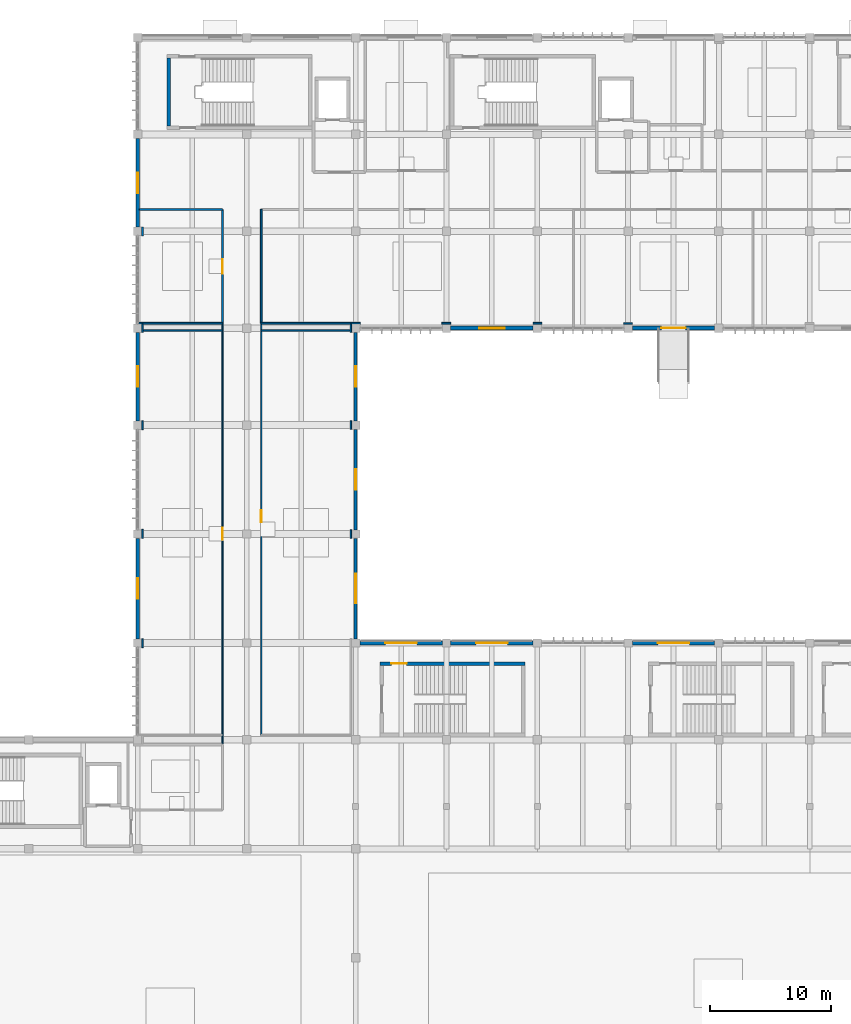
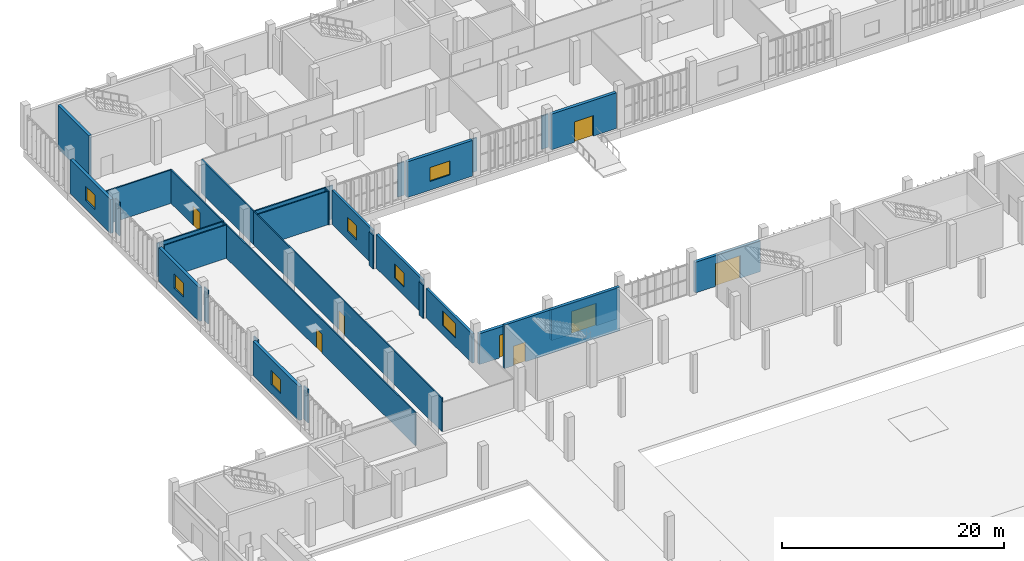
# One storey, part 46 of 72: 33 walls, 8 doors, 7 windows, 15 openings.
"""IFC4 building model written with IfcOpenShell, lengths in metres."""

from ifc_helpers import new_model, si_unit, direction, frame, frame_2d, origin, place, context, subcontext, project, spatial, rectangle, extrude, material, layer, layer_set, type_object, element, fill, save


model = new_model("IFC4")

# Units and contexts
model_context = context("Model", 3, precision=1e-05, world=origin(), true_north=direction((0.0, 1.0)))
body_context = subcontext(model_context, "Body", "Model", "MODEL_VIEW")
ifc_project = project(units=[si_unit("LENGTHUNIT", "METRE"), si_unit("AREAUNIT", "SQUARE_METRE"), si_unit("VOLUMEUNIT", "CUBIC_METRE"), si_unit("PLANEANGLEUNIT", "RADIAN"), si_unit("MASSUNIT", "GRAM", prefix="KILO")], contexts=[model_context])

# Site, building, storey
site_placement = place(None, origin())
site = spatial("IfcSite", under=ifc_project, at=site_placement, CompositionType="ELEMENT")
building_placement = place(site_placement, origin())
building = spatial("IfcBuilding", under=site, at=building_placement, Name="Vourika Railside Aquatics Centre", CompositionType="ELEMENT")
storey_placement = place(building_placement, origin())
storey = spatial("IfcBuildingStorey", under=building, at=storey_placement, Name="L00", CompositionType="ELEMENT", Elevation=0.0)

# Wall
ifc_material_1 = material(Name="Concrete C40/50", Category="concrete")
ifc_layer_1 = layer(ifc_material_1, 0.300048828125, Name="WL-CORE")
ifc_layer_set_1 = layer_set([ifc_layer_1], Name="Concrete C40/50")
wall_type_1 = type_object("IfcWallType", Name="WL-CORE", PredefinedType="SHEAR", material=ifc_layer_set_1)
wall_1_placement = place(storey_placement, frame((20.550048828125, 114.300048828125, 0.0), z_axis=(0.0, 0.0, 1.0), x_axis=(0.0, -1.0, 0.0)))
element("IfcWall", 1, at=wall_1_placement, inside=storey, type_object=wall_type_1, Name="Protected Exit Stair Core ST01 West Wall (L00)", PredefinedType="SHEAR", context=body_context, shape_type="SweptSolid", body=[
    extrude(rectangle(XDim=5.60009765625, YDim=0.300048828125, at=frame_2d((2.800048828125, 0.0))), origin(), (0.0, 0.0, 1.0), 4.800048828125),
])

# Wall, opening, door
wall_2_placement = place(storey_placement, frame((50.0, 64.300048828125, 0.0), z_axis=(0.0, 0.0, 1.0), x_axis=(-1.0, 0.0, 0.0)))
wall_2 = element("IfcWall", 2, at=wall_2_placement, inside=storey, type_object=wall_type_1, Name="Grandstand Vomitory Exit Stair ST07 North Wall (L00)", PredefinedType="SHEAR", context=body_context, shape_type="SweptSolid", body=[
    extrude(rectangle(XDim=12.0, YDim=0.300048828125, at=frame_2d((6.0, 0.0))), origin(), (0.0, 0.0, 1.0), 4.800048828125),
])
opening_1_placement = place(wall_2_placement, frame((9.800048828125, 0.0, 0.0)))
opening_1 = element("IfcOpeningElement", 3, at=opening_1_placement, cuts=wall_2, Name="Opening DF02", PredefinedType="OPENING", context=body_context, shape_type="SweptSolid", body=[
    extrude(rectangle(XDim=1.25, YDim=2.14990234375, at=frame_2d((0.625, 1.074951171875))), frame((0.0, 0.16015625, 0.0), z_axis=(0.0, -1.0, 0.0), x_axis=(1.0, 0.0, 0.0)), (0.0, 0.0, 1.0), 0.320068359375),
])
ifc_material_2 = material(Name="Fire-rated wide exit stair door")
door_type_1 = type_object("IfcDoorType", Name="DR-FD60-125", OperationType="NOTDEFINED", PredefinedType="DOOR", material=ifc_material_2)
door_1_placement = place(opening_1_placement, origin())
door_1 = element("IfcDoor", 4, at=door_1_placement, inside=storey, type_object=door_type_1, Name="Grandstand Vomitory Exit Stair ST07 Grade Exit Passage Door", OperationType="SINGLE_SWING_RIGHT", OverallHeight=2.14990234375, OverallWidth=1.25, PredefinedType="DOOR", context=body_context, shape_type="SweptSolid", body=[
    extrude(rectangle(XDim=1.25, YDim=2.14990234375, at=frame_2d((0.625, 1.074951171875))), frame((0.0, 0.02490234375, 0.0), z_axis=(0.0, -1.0, 0.0), x_axis=(1.0, 0.0, 0.0)), (0.0, 0.0, 1.0), 0.050048828125),
])
fill(opening_1, door_1)

# Wall, opening, window
ifc_material_3 = material(Name="Precast concrete C40/50", Category="concrete")
ifc_layer_2 = layer(ifc_material_3, 0.25, Name="WL-EXT-250")
ifc_layer_set_2 = layer_set([ifc_layer_2], Name="Precast concrete C40/50")
wall_type_2 = type_object("IfcWallType", Name="WL-EXT-250", PredefinedType="SOLIDWALL", material=ifc_layer_set_2)
wall_3_placement = place(storey_placement, frame((36.0, 66.35009765625, 0.0), z_axis=(0.0, 0.0, 1.0), x_axis=(0.0, 1.0, 0.0)))
wall_3 = element("IfcWall", 5, at=wall_3_placement, inside=storey, type_object=wall_type_2, Name="West Link Courtyard Wall L00-1", PredefinedType="SOLIDWALL", context=body_context, shape_type="SweptSolid", body=[
    extrude(rectangle(XDim=8.2998046875, YDim=0.25, at=frame_2d((4.14990234375, 0.0))), origin(), (0.0, 0.0, 1.0), 3.22998046875),
])
opening_2_placement = place(wall_3_placement, frame((2.949951171875, 0.0, 0.949951171875)))
opening_2 = element("IfcOpeningElement", 6, at=opening_2_placement, cuts=wall_3, Name="Opening W06", PredefinedType="OPENING", context=body_context, shape_type="SweptSolid", body=[
    extrude(rectangle(XDim=2.39990234375, YDim=1.60009765625, at=frame_2d((1.199951171875, 0.800048828125))), frame((0.0, 0.135009765625, 0.0), z_axis=(0.0, -1.0, 0.0), x_axis=(1.0, 0.0, 0.0)), (0.0, 0.0, 1.0), 0.27001953125),
])
ifc_material_4 = material(Name="Laminated solar-control glass", Category="glass")
window_type_1 = type_object("IfcWindowType", Name="WN-CLN-240x160", PartitioningType="DOUBLE_PANEL_VERTICAL", PredefinedType="WINDOW", material=ifc_material_4)
window_1_placement = place(opening_2_placement, origin())
window_1 = element("IfcWindow", 7, at=window_1_placement, inside=storey, type_object=window_type_1, Name="West Link Courtyard Gallery Window", OverallHeight=1.60009765625, OverallWidth=2.39990234375, PartitioningType="SINGLE_PANEL", PredefinedType="WINDOW", context=body_context, shape_type="SweptSolid", body=[
    extrude(rectangle(XDim=2.39990234375, YDim=1.60009765625, at=frame_2d((1.199951171875, 0.800048828125))), frame((0.0, 0.030029296875, 0.0), z_axis=(0.0, -1.0, 0.0), x_axis=(1.0, 0.0, 0.0)), (0.0, 0.0, 1.0), 0.06005859375),
])
fill(opening_2, window_1)

wall_4_placement = place(storey_placement, frame((36.0, 75.35009765625, 0.0), z_axis=(0.0, 0.0, 1.0), x_axis=(0.0, 1.0, 0.0)))
wall_4 = element("IfcWall", 8, at=wall_4_placement, inside=storey, type_object=wall_type_2, Name="West Link Courtyard Wall L00-2", PredefinedType="SOLIDWALL", context=body_context, shape_type="SweptSolid", body=[
    extrude(rectangle(XDim=8.2998046875, YDim=0.25, at=frame_2d((4.14990234375, 0.0))), origin(), (0.0, 0.0, 1.0), 3.72998046875),
])
opening_3_placement = place(wall_4_placement, frame((3.300048828125, 0.0, 0.949951171875)))
opening_3 = element("IfcOpeningElement", 9, at=opening_3_placement, cuts=wall_4, Name="Opening W11", PredefinedType="OPENING", context=body_context, shape_type="SweptSolid", body=[
    extrude(rectangle(XDim=1.699951171875, YDim=1.550048828125, at=frame_2d((0.85009765625, 0.77490234375))), frame((0.0, 0.135009765625, 0.0), z_axis=(0.0, -1.0, 0.0), x_axis=(1.0, 0.0, 0.0)), (0.0, 0.0, 1.0), 0.27001953125),
])
window_type_2 = type_object("IfcWindowType", Name="WN-LAB-170x155", PartitioningType="SINGLE_PANEL", PredefinedType="WINDOW", material=ifc_material_4)
window_2_placement = place(opening_3_placement, origin())
window_2 = element("IfcWindow", 10, at=window_2_placement, inside=storey, type_object=window_type_2, Name="West Link Courtyard Window L00-2", OverallHeight=1.550048828125, OverallWidth=1.699951171875, PartitioningType="SINGLE_PANEL", PredefinedType="WINDOW", context=body_context, shape_type="SweptSolid", body=[
    extrude(rectangle(XDim=1.699951171875, YDim=1.550048828125, at=frame_2d((0.85009765625, 0.77490234375))), frame((0.0, 0.030029296875, 0.0), z_axis=(0.0, -1.0, 0.0), x_axis=(1.0, 0.0, 0.0)), (0.0, 0.0, 1.0), 0.06005859375),
])
fill(opening_3, window_2)

wall_5_placement = place(storey_placement, frame((36.0, 84.35009765625, 0.0), z_axis=(0.0, 0.0, 1.0), x_axis=(0.0, 1.0, 0.0)))
wall_5 = element("IfcWall", 11, at=wall_5_placement, inside=storey, type_object=wall_type_2, Name="West Link Courtyard Wall L00-3", PredefinedType="SOLIDWALL", context=body_context, shape_type="SweptSolid", body=[
    extrude(rectangle(XDim=7.2998046875, YDim=0.25, at=frame_2d((3.64990234375, 0.0))), origin(), (0.0, 0.0, 1.0), 3.72998046875),
])
opening_4_placement = place(wall_5_placement, frame((2.800048828125, 0.0, 0.949951171875)))
opening_4 = element("IfcOpeningElement", 12, at=opening_4_placement, cuts=wall_5, Name="Opening W11", PredefinedType="OPENING", context=body_context, shape_type="SweptSolid", body=[
    extrude(rectangle(XDim=1.699951171875, YDim=1.550048828125, at=frame_2d((0.85009765625, 0.77490234375))), frame((0.0, 0.135009765625, 0.0), z_axis=(0.0, -1.0, 0.0), x_axis=(1.0, 0.0, 0.0)), (0.0, 0.0, 1.0), 0.27001953125),
])
window_3_placement = place(opening_4_placement, origin())
window_3 = element("IfcWindow", 13, at=window_3_placement, inside=storey, type_object=window_type_2, Name="West Link Courtyard Window L00-3", OverallHeight=1.550048828125, OverallWidth=1.699951171875, PartitioningType="SINGLE_PANEL", PredefinedType="WINDOW", context=body_context, shape_type="SweptSolid", body=[
    extrude(rectangle(XDim=1.699951171875, YDim=1.550048828125, at=frame_2d((0.85009765625, 0.77490234375))), frame((0.0, 0.030029296875, 0.0), z_axis=(0.0, -1.0, 0.0), x_axis=(1.0, 0.0, 0.0)), (0.0, 0.0, 1.0), 0.06005859375),
])
fill(opening_4, window_3)

# Wall, opening, door
ifc_layer_3 = layer(ifc_material_3, 0.320068359375, Name="WL-EXT-320")
ifc_layer_set_3 = layer_set([ifc_layer_3], Name="Precast concrete C40/50")
wall_type_3 = type_object("IfcWallType", Name="WL-EXT-320", PredefinedType="SOLIDWALL", material=ifc_layer_set_3)
wall_6_placement = place(storey_placement, frame((43.14990234375, 66.0, 0.0), z_axis=(0.0, 0.0, 1.0), x_axis=(-1.0, 0.0, 0.0)))
wall_6 = element("IfcWall", 14, at=wall_6_placement, inside=storey, type_object=wall_type_3, Name="North Concourse Exit Wall Bay 1", PredefinedType="SOLIDWALL", context=body_context, shape_type="SweptSolid", body=[
    extrude(rectangle(XDim=6.7998046875, YDim=0.320068359375, at=frame_2d((3.39990234375, 0.0))), origin(), (0.0, 0.0, 1.0), 3.3798828125),
])
opening_5_placement = place(wall_6_placement, frame((2.10009765625, 0.0, 0.0)))
opening_5 = element("IfcOpeningElement", 15, at=opening_5_placement, cuts=wall_6, Name="Opening DE01", PredefinedType="OPENING", context=body_context, shape_type="SweptSolid", body=[
    extrude(rectangle(XDim=2.60009765625, YDim=2.5, at=frame_2d((1.300048828125, 1.25))), frame((0.0, 0.169921875, 0.0), z_axis=(0.0, -1.0, 0.0), x_axis=(1.0, 0.0, 0.0)), (0.0, 0.0, 1.0), 0.340087890625),
])
ifc_material_5 = material(Name="Anodized aluminium", Category="aluminium")
door_type_2 = type_object("IfcDoorType", Name="DR-EXT-DBL260", OperationType="DOUBLE_DOOR_SINGLE_SWING", PredefinedType="DOOR", material=ifc_material_5)
door_2_placement = place(opening_5_placement, frame((2.60009765625, 0.0, 0.0), z_axis=(0.0, 0.0, 1.0), x_axis=(-1.0, 0.0, 0.0)))
door_2 = element("IfcDoor", 16, at=door_2_placement, inside=storey, type_object=door_type_2, Name="Courtyard Vomitory Exit Door (EX-N01)", OperationType="DOUBLE_DOOR_SINGLE_SWING", OverallHeight=2.5, OverallWidth=2.60009765625, PredefinedType="DOOR", context=body_context, shape_type="SweptSolid", body=[
    extrude(rectangle(XDim=2.60009765625, YDim=2.5, at=frame_2d((1.300048828125, 1.25))), frame((0.0, 0.02490234375, 0.0), z_axis=(0.0, -1.0, 0.0), x_axis=(1.0, 0.0, 0.0)), (0.0, 0.0, 1.0), 0.050048828125),
])
fill(opening_5, door_2)

wall_7_placement = place(storey_placement, frame((50.64990234375, 66.0, 0.0), z_axis=(0.0, 0.0, 1.0), x_axis=(-1.0, 0.0, 0.0)))
wall_7 = element("IfcWall", 17, at=wall_7_placement, inside=storey, type_object=wall_type_3, Name="North Concourse Exit Wall Bay 2", PredefinedType="SOLIDWALL", context=body_context, shape_type="SweptSolid", body=[
    extrude(rectangle(XDim=6.7998046875, YDim=0.320068359375, at=frame_2d((3.39990234375, 0.0))), origin(), (0.0, 0.0, 1.0), 3.3798828125),
])
opening_6_placement = place(wall_7_placement, frame((2.10009765625, 0.0, 0.0)))
opening_6 = element("IfcOpeningElement", 18, at=opening_6_placement, cuts=wall_7, Name="Opening DE01", PredefinedType="OPENING", context=body_context, shape_type="SweptSolid", body=[
    extrude(rectangle(XDim=2.60009765625, YDim=2.5, at=frame_2d((1.300048828125, 1.25))), frame((0.0, 0.169921875, 0.0), z_axis=(0.0, -1.0, 0.0), x_axis=(1.0, 0.0, 0.0)), (0.0, 0.0, 1.0), 0.340087890625),
])
door_3_placement = place(opening_6_placement, frame((2.60009765625, 0.0, 0.0), z_axis=(0.0, 0.0, 1.0), x_axis=(-1.0, 0.0, 0.0)))
door_3 = element("IfcDoor", 19, at=door_3_placement, inside=storey, type_object=door_type_2, Name="Courtyard Vomitory Exit Door (ST07)", OperationType="DOUBLE_DOOR_SINGLE_SWING", OverallHeight=2.5, OverallWidth=2.60009765625, PredefinedType="DOOR", context=body_context, shape_type="SweptSolid", body=[
    extrude(rectangle(XDim=2.60009765625, YDim=2.5, at=frame_2d((1.300048828125, 1.25))), frame((0.0, 0.02490234375, 0.0), z_axis=(0.0, -1.0, 0.0), x_axis=(1.0, 0.0, 0.0)), (0.0, 0.0, 1.0), 0.050048828125),
])
fill(opening_6, door_3)

wall_8_placement = place(storey_placement, frame((65.64990234375, 66.0, 0.0), z_axis=(0.0, 0.0, 1.0), x_axis=(-1.0, 0.0, 0.0)))
wall_8 = element("IfcWall", 20, at=wall_8_placement, inside=storey, type_object=wall_type_3, Name="North Concourse Exit Wall Bay 4", PredefinedType="SOLIDWALL", context=body_context, shape_type="SweptSolid", body=[
    extrude(rectangle(XDim=6.7998046875, YDim=0.320068359375, at=frame_2d((3.39990234375, 0.0))), origin(), (0.0, 0.0, 1.0), 3.3798828125),
])
opening_7_placement = place(wall_8_placement, frame((2.10009765625, 0.0, 0.0)))
opening_7 = element("IfcOpeningElement", 21, at=opening_7_placement, cuts=wall_8, Name="Opening DE01", PredefinedType="OPENING", context=body_context, shape_type="SweptSolid", body=[
    extrude(rectangle(XDim=2.60009765625, YDim=2.5, at=frame_2d((1.300048828125, 1.25))), frame((0.0, 0.169921875, 0.0), z_axis=(0.0, -1.0, 0.0), x_axis=(1.0, 0.0, 0.0)), (0.0, 0.0, 1.0), 0.340087890625),
])
door_4_placement = place(opening_7_placement, frame((2.60009765625, 0.0, 0.0), z_axis=(0.0, 0.0, 1.0), x_axis=(-1.0, 0.0, 0.0)))
door_4 = element("IfcDoor", 22, at=door_4_placement, inside=storey, type_object=door_type_2, Name="Courtyard Vomitory Exit Door (ST08)", OperationType="DOUBLE_DOOR_SINGLE_SWING", OverallHeight=2.5, OverallWidth=2.60009765625, PredefinedType="DOOR", context=body_context, shape_type="SweptSolid", body=[
    extrude(rectangle(XDim=2.60009765625, YDim=2.5, at=frame_2d((1.300048828125, 1.25))), frame((0.0, 0.02490234375, 0.0), z_axis=(0.0, -1.0, 0.0), x_axis=(1.0, 0.0, 0.0)), (0.0, 0.0, 1.0), 0.050048828125),
])
fill(opening_7, door_4)

# Wall, opening, window
wall_9_placement = place(storey_placement, frame((43.85009765625, 92.0, 0.0), z_axis=(0.0, 0.0, 1.0), x_axis=(1.0, 0.0, 0.0)))
wall_9 = element("IfcWall", 23, at=wall_9_placement, inside=storey, type_object=wall_type_3, Name="Courtyard Precast Wall L00-2", PredefinedType="SOLIDWALL", context=body_context, shape_type="SweptSolid", body=[
    extrude(rectangle(XDim=6.7998046875, YDim=0.320068359375, at=frame_2d((3.39990234375, 0.0))), origin(), (0.0, 0.0, 1.0), 3.929931640625),
])
opening_8_placement = place(wall_9_placement, frame((2.35009765625, 0.0, 0.949951171875)))
opening_8 = element("IfcOpeningElement", 24, at=opening_8_placement, cuts=wall_9, Name="Opening W07", PredefinedType="OPENING", context=body_context, shape_type="SweptSolid", body=[
    extrude(rectangle(XDim=2.10009765625, YDim=1.550048828125, at=frame_2d((1.050048828125, 0.77490234375))), frame((0.0, 0.169921875, 0.0), z_axis=(0.0, -1.0, 0.0), x_axis=(1.0, 0.0, 0.0)), (0.0, 0.0, 1.0), 0.340087890625),
])
window_type_3 = type_object("IfcWindowType", Name="WN-CLN-210x155", PartitioningType="DOUBLE_PANEL_VERTICAL", PredefinedType="WINDOW", material=ifc_material_4)
window_4_placement = place(opening_8_placement, origin())
window_4 = element("IfcWindow", 25, at=window_4_placement, inside=storey, type_object=window_type_3, Name="Courtyard Fitness Window L00-2", OverallHeight=1.550048828125, OverallWidth=2.10009765625, PartitioningType="SINGLE_PANEL", PredefinedType="WINDOW", context=body_context, shape_type="SweptSolid", body=[
    extrude(rectangle(XDim=2.10009765625, YDim=1.550048828125, at=frame_2d((1.050048828125, 0.77490234375))), frame((0.0, 0.030029296875, 0.0), z_axis=(0.0, -1.0, 0.0), x_axis=(1.0, 0.0, 0.0)), (0.0, 0.0, 1.0), 0.06005859375),
])
fill(opening_8, window_4)

# Wall, opening, door
wall_10_placement = place(storey_placement, frame((58.85009765625, 92.0, 0.0), z_axis=(0.0, 0.0, 1.0), x_axis=(1.0, 0.0, 0.0)))
wall_10 = element("IfcWall", 26, at=wall_10_placement, inside=storey, type_object=wall_type_3, Name="Monsoon Courtyard Clinic Entrance Wall", PredefinedType="SOLIDWALL", context=body_context, shape_type="SweptSolid", body=[
    extrude(rectangle(XDim=6.7998046875, YDim=0.320068359375, at=frame_2d((3.39990234375, 0.0))), origin(), (0.0, 0.0, 1.0), 3.929931640625),
])
opening_9_placement = place(wall_10_placement, frame((2.39990234375, 0.0, 0.0)))
opening_9 = element("IfcOpeningElement", 27, at=opening_9_placement, cuts=wall_10, Name="Opening DE04", PredefinedType="OPENING", context=body_context, shape_type="SweptSolid", body=[
    extrude(rectangle(XDim=2.0, YDim=2.25, at=frame_2d((1.0, 1.125))), frame((0.0, 0.169921875, 0.0), z_axis=(0.0, -1.0, 0.0), x_axis=(1.0, 0.0, 0.0)), (0.0, 0.0, 1.0), 0.340087890625),
])
door_type_3 = type_object("IfcDoorType", Name="DR-EXT-DBL200", OperationType="DOUBLE_DOOR_SINGLE_SWING", PredefinedType="DOOR", material=ifc_material_5)
door_5_placement = place(opening_9_placement, frame((2.0, 0.0, 0.0), z_axis=(0.0, 0.0, 1.0), x_axis=(-1.0, 0.0, 0.0)))
door_5 = element("IfcDoor", 28, at=door_5_placement, inside=storey, type_object=door_type_3, Name="Monsoon Courtyard Clinic Entrance Door (AR2)", OperationType="DOUBLE_DOOR_SINGLE_SWING", OverallHeight=2.25, OverallWidth=2.0, PredefinedType="DOOR", context=body_context, shape_type="SweptSolid", body=[
    extrude(rectangle(XDim=2.0, YDim=2.25, at=frame_2d((1.0, 1.125))), frame((0.0, 0.02490234375, 0.0), z_axis=(0.0, -1.0, 0.0), x_axis=(1.0, 0.0, 0.0)), (0.0, 0.0, 1.0), 0.050048828125),
])
fill(opening_9, door_5)

# Wall, opening, window
wall_11_placement = place(storey_placement, frame((18.0, 74.64990234375, 0.0), z_axis=(0.0, 0.0, 1.0), x_axis=(0.0, -1.0, 0.0)))
wall_11 = element("IfcWall", 29, at=wall_11_placement, inside=storey, type_object=wall_type_3, Name="Fitness West Precast Wall L00-2", PredefinedType="SOLIDWALL", context=body_context, shape_type="SweptSolid", body=[
    extrude(rectangle(XDim=8.2998046875, YDim=0.320068359375, at=frame_2d((4.14990234375, 0.0))), origin(), (0.0, 0.0, 1.0), 3.72998046875),
])
opening_10_placement = place(wall_11_placement, frame((3.300048828125, 0.0, 0.949951171875)))
opening_10 = element("IfcOpeningElement", 30, at=opening_10_placement, cuts=wall_11, Name="Opening W11", PredefinedType="OPENING", context=body_context, shape_type="SweptSolid", body=[
    extrude(rectangle(XDim=1.699951171875, YDim=1.550048828125, at=frame_2d((0.85009765625, 0.77490234375))), frame((0.0, 0.169921875, 0.0), z_axis=(0.0, -1.0, 0.0), x_axis=(1.0, 0.0, 0.0)), (0.0, 0.0, 1.0), 0.340087890625),
])
window_5_placement = place(opening_10_placement, origin())
window_5 = element("IfcWindow", 31, at=window_5_placement, inside=storey, type_object=window_type_2, Name="Fitness West Window L00-2", OverallHeight=1.550048828125, OverallWidth=1.699951171875, PartitioningType="SINGLE_PANEL", PredefinedType="WINDOW", context=body_context, shape_type="SweptSolid", body=[
    extrude(rectangle(XDim=1.699951171875, YDim=1.550048828125, at=frame_2d((0.85009765625, 0.77490234375))), frame((0.0, 0.030029296875, 0.0), z_axis=(0.0, -1.0, 0.0), x_axis=(1.0, 0.0, 0.0)), (0.0, 0.0, 1.0), 0.06005859375),
])
fill(opening_10, window_5)

wall_12_placement = place(storey_placement, frame((18.0, 91.64990234375, 0.0), z_axis=(0.0, 0.0, 1.0), x_axis=(0.0, -1.0, 0.0)))
wall_12 = element("IfcWall", 32, at=wall_12_placement, inside=storey, type_object=wall_type_3, Name="Fitness West Precast Wall L00-4", PredefinedType="SOLIDWALL", context=body_context, shape_type="SweptSolid", body=[
    extrude(rectangle(XDim=7.2998046875, YDim=0.320068359375, at=frame_2d((3.64990234375, 0.0))), origin(), (0.0, 0.0, 1.0), 3.72998046875),
])
opening_11_placement = place(wall_12_placement, frame((2.800048828125, 0.0, 0.949951171875)))
opening_11 = element("IfcOpeningElement", 33, at=opening_11_placement, cuts=wall_12, Name="Opening W11", PredefinedType="OPENING", context=body_context, shape_type="SweptSolid", body=[
    extrude(rectangle(XDim=1.699951171875, YDim=1.550048828125, at=frame_2d((0.85009765625, 0.77490234375))), frame((0.0, 0.169921875, 0.0), z_axis=(0.0, -1.0, 0.0), x_axis=(1.0, 0.0, 0.0)), (0.0, 0.0, 1.0), 0.340087890625),
])
window_6_placement = place(opening_11_placement, origin())
window_6 = element("IfcWindow", 34, at=window_6_placement, inside=storey, type_object=window_type_2, Name="Fitness West Window L00-4", OverallHeight=1.550048828125, OverallWidth=1.699951171875, PartitioningType="SINGLE_PANEL", PredefinedType="WINDOW", context=body_context, shape_type="SweptSolid", body=[
    extrude(rectangle(XDim=1.699951171875, YDim=1.550048828125, at=frame_2d((0.85009765625, 0.77490234375))), frame((0.0, 0.030029296875, 0.0), z_axis=(0.0, -1.0, 0.0), x_axis=(1.0, 0.0, 0.0)), (0.0, 0.0, 1.0), 0.06005859375),
])
fill(opening_11, window_6)

wall_13_placement = place(storey_placement, frame((18.0, 107.64990234375, 0.0), z_axis=(0.0, 0.0, 1.0), x_axis=(0.0, -1.0, 0.0)))
wall_13 = element("IfcWall", 35, at=wall_13_placement, inside=storey, type_object=wall_type_3, Name="Fitness West Precast Wall L00-6", PredefinedType="SOLIDWALL", context=body_context, shape_type="SweptSolid", body=[
    extrude(rectangle(XDim=7.2998046875, YDim=0.320068359375, at=frame_2d((3.64990234375, 0.0))), origin(), (0.0, 0.0, 1.0), 3.72998046875),
])
opening_12_placement = place(wall_13_placement, frame((2.800048828125, 0.0, 0.949951171875)))
opening_12 = element("IfcOpeningElement", 36, at=opening_12_placement, cuts=wall_13, Name="Opening W11", PredefinedType="OPENING", context=body_context, shape_type="SweptSolid", body=[
    extrude(rectangle(XDim=1.699951171875, YDim=1.550048828125, at=frame_2d((0.85009765625, 0.77490234375))), frame((0.0, 0.169921875, 0.0), z_axis=(0.0, -1.0, 0.0), x_axis=(1.0, 0.0, 0.0)), (0.0, 0.0, 1.0), 0.340087890625),
])
window_7_placement = place(opening_12_placement, origin())
window_7 = element("IfcWindow", 37, at=window_7_placement, inside=storey, type_object=window_type_2, Name="Fitness West Window L00-6", OverallHeight=1.550048828125, OverallWidth=1.699951171875, PartitioningType="SINGLE_PANEL", PredefinedType="WINDOW", context=body_context, shape_type="SweptSolid", body=[
    extrude(rectangle(XDim=1.699951171875, YDim=1.550048828125, at=frame_2d((0.85009765625, 0.77490234375))), frame((0.0, 0.030029296875, 0.0), z_axis=(0.0, -1.0, 0.0), x_axis=(1.0, 0.0, 0.0)), (0.0, 0.0, 1.0), 0.06005859375),
])
fill(opening_12, window_7)

# Wall
ifc_material_6 = material(Name="Lightweight drylining partition")
ifc_layer_4 = layer(ifc_material_6, 0.1201171875, Name="WL-PART-120")
ifc_layer_set_4 = layer_set([ifc_layer_4], Name="Lightweight drylining partition")
wall_type_4 = type_object("IfcWallType", Name="WL-PART-120", PredefinedType="PARTITIONING", material=ifc_layer_set_4)
wall_14_placement = place(storey_placement, frame((58.85009765625, 92.39990234375, 0.0), z_axis=(0.0, 0.0, 1.0), x_axis=(-1.0, 0.0, 0.0)))
element("IfcWall", 38, at=wall_14_placement, inside=storey, type_object=wall_type_4, Name="Orthopaedic Physician Consulting Rooms Partition 4", PredefinedType="PARTITIONING", context=body_context, shape_type="SweptSolid", body=[
    extrude(rectangle(XDim=0.72998046875, YDim=0.1201171875, at=frame_2d((0.364990234375, 0.0))), origin(), (0.0, 0.0, 1.0), 3.679931640625),
])

# Wall, opening, door
wall_15_placement = place(storey_placement, frame((25.0, 92.35009765625, 0.0), z_axis=(0.0, 0.0, 1.0), x_axis=(0.0, -1.0, 0.0)))
wall_15 = element("IfcWall", 39, at=wall_15_placement, inside=storey, type_object=wall_type_4, Name="Cryotherapy Recovery Hall Partition 1", PredefinedType="PARTITIONING", context=body_context, shape_type="SweptSolid", body=[
    extrude(rectangle(XDim=34.68017578125, YDim=0.1201171875, at=frame_2d((17.340087890625, 0.0))), origin(), (0.0, 0.0, 1.0), 3.679931640625),
])
opening_13_placement = place(wall_15_placement, frame((16.840087890625, 0.0, 0.0)))
opening_13 = element("IfcOpeningElement", 40, at=opening_13_placement, cuts=wall_15, Name="Opening DI01", PredefinedType="OPENING", context=body_context, shape_type="SweptSolid", body=[
    extrude(rectangle(XDim=1.0, YDim=2.10009765625, at=frame_2d((0.5, 1.050048828125))), frame((0.0, 0.070068359375, 0.0), z_axis=(0.0, -1.0, 0.0), x_axis=(1.0, 0.0, 0.0)), (0.0, 0.0, 1.0), 0.14013671875),
])
ifc_material_7 = material(Name="Anodized aluminium and laminate door", Category="aluminium")
door_type_4 = type_object("IfcDoorType", Name="DR-INT-1000", OperationType="NOTDEFINED", PredefinedType="DOOR", material=ifc_material_7)
door_6_placement = place(opening_13_placement, origin())
door_6 = element("IfcDoor", 41, at=door_6_placement, inside=storey, type_object=door_type_4, Name="Cryotherapy Recovery Hall Door", OperationType="SINGLE_SWING_LEFT", OverallHeight=2.10009765625, OverallWidth=1.0, PredefinedType="DOOR", context=body_context, shape_type="SweptSolid", body=[
    extrude(rectangle(XDim=1.0, YDim=2.10009765625, at=frame_2d((0.5, 1.050048828125))), frame((0.0, 0.02490234375, 0.0), z_axis=(0.0, -1.0, 0.0), x_axis=(1.0, 0.0, 0.0)), (0.0, 0.0, 1.0), 0.050048828125),
])
fill(opening_13, door_6)

# Walls
wall_16_placement = place(storey_placement, frame((18.39990234375, 91.800048828125, 0.0), z_axis=(0.0, 0.0, 1.0), x_axis=(1.0, 0.0, 0.0)))
element("IfcWall", 42, at=wall_16_placement, inside=storey, type_object=wall_type_4, Name="Cryotherapy Recovery Hall Partition 2", PredefinedType="PARTITIONING", context=body_context, shape_type="SweptSolid", body=[
    extrude(rectangle(XDim=6.60009765625, YDim=0.1201171875, at=frame_2d((3.300048828125, 0.0))), origin(), (0.0, 0.0, 1.0), 3.679931640625),
])
for number, where, z_axis, x_axis, name in (
    (43, (18.39990234375, 65.6201171875, 0.0), (0.0, 0.0, 1.0), (0.0, 1.0, 0.0), "Cryotherapy Recovery Hall Partition 5"),
    (44, (18.39990234375, 74.64990234375, 0.0), (0.0, 0.0, 1.0), (0.0, 1.0, 0.0), "Cryotherapy Recovery Hall Partition 6"),
    (45, (18.39990234375, 83.6201171875, 0.0), (0.0, 0.0, 1.0), (0.0, 1.0, 0.0), "Cryotherapy Recovery Hall Partition 7"),
):
    element("IfcWall", number, at=place(storey_placement, frame(where, z_axis=z_axis, x_axis=x_axis)), inside=storey, type_object=wall_type_4, Name=name, PredefinedType="PARTITIONING", context=body_context, shape_type="SweptSolid", body=[
        extrude(rectangle(XDim=0.72998046875, YDim=0.1201171875, at=frame_2d((0.364990234375, 0.0))), origin(), (0.0, 0.0, 1.0), 3.679931640625),
    ])
wall_17_placement = place(storey_placement, frame((18.39990234375, 91.64990234375, 0.0), z_axis=(0.0, 0.0, 1.0), x_axis=(0.0, 1.0, 0.0)))
element("IfcWall", 46, at=wall_17_placement, inside=storey, type_object=wall_type_4, Name="Cryotherapy Recovery Hall Partition 8", PredefinedType="PARTITIONING", context=body_context, shape_type="SweptSolid", body=[
    extrude(rectangle(XDim=0.7001953125, YDim=0.1201171875, at=frame_2d((0.35009765625, 0.0))), origin(), (0.0, 0.0, 1.0), 3.679931640625),
])

# Wall, opening, door
wall_18_placement = place(storey_placement, frame((28.199951171875, 58.39990234375, 0.0), z_axis=(0.0, 0.0, 1.0), x_axis=(0.0, 1.0, 0.0)))
wall_18 = element("IfcWall", 47, at=wall_18_placement, inside=storey, type_object=wall_type_4, Name="Community Club Reception Hall Partition 1", PredefinedType="PARTITIONING", context=body_context, shape_type="SweptSolid", body=[
    extrude(rectangle(XDim=33.9501953125, YDim=0.1201171875, at=frame_2d((16.97509765625, 0.0))), origin(), (0.0, 0.0, 1.0), 3.679931640625),
])
opening_14_placement = place(wall_18_placement, frame((17.574951171875, 0.0, 0.0)))
opening_14 = element("IfcOpeningElement", 48, at=opening_14_placement, cuts=wall_18, Name="Opening DI01", PredefinedType="OPENING", context=body_context, shape_type="SweptSolid", body=[
    extrude(rectangle(XDim=1.0, YDim=2.10009765625, at=frame_2d((0.5, 1.050048828125))), frame((0.0, 0.070068359375, 0.0), z_axis=(0.0, -1.0, 0.0), x_axis=(1.0, 0.0, 0.0)), (0.0, 0.0, 1.0), 0.14013671875),
])
door_7_placement = place(opening_14_placement, origin())
door_7 = element("IfcDoor", 49, at=door_7_placement, inside=storey, type_object=door_type_4, Name="Community Club Reception Hall Door", OperationType="SINGLE_SWING_RIGHT", OverallHeight=2.10009765625, OverallWidth=1.0, PredefinedType="DOOR", context=body_context, shape_type="SweptSolid", body=[
    extrude(rectangle(XDim=1.0, YDim=2.10009765625, at=frame_2d((0.5, 1.050048828125))), frame((0.0, 0.02490234375, 0.0), z_axis=(0.0, -1.0, 0.0), x_axis=(1.0, 0.0, 0.0)), (0.0, 0.0, 1.0), 0.050048828125),
])
fill(opening_14, door_7)

# Walls
wall_19_placement = place(storey_placement, frame((28.199951171875, 91.800048828125, 0.0), z_axis=(0.0, 0.0, 1.0), x_axis=(1.0, 0.0, 0.0)))
element("IfcWall", 50, at=wall_19_placement, inside=storey, type_object=wall_type_4, Name="Community Club Reception Hall Partition 3", PredefinedType="PARTITIONING", context=body_context, shape_type="SweptSolid", body=[
    extrude(rectangle(XDim=7.400146484375, YDim=0.1201171875, at=frame_2d((3.7001953125, 0.0))), origin(), (0.0, 0.0, 1.0), 3.679931640625),
])
for number, where, z_axis, x_axis, name in (
    (51, (35.60009765625, 92.35009765625, 0.0), (0.0, 0.0, 1.0), (0.0, -1.0, 0.0), "Community Club Reception Hall Partition 5"),
    (52, (35.60009765625, 84.35009765625, 0.0), (0.0, 0.0, 1.0), (0.0, -1.0, 0.0), "Community Club Reception Hall Partition 6"),
    (53, (35.60009765625, 75.35009765625, 0.0), (0.0, 0.0, 1.0), (0.0, -1.0, 0.0), "Community Club Reception Hall Partition 7"),
):
    element("IfcWall", number, at=place(storey_placement, frame(where, z_axis=z_axis, x_axis=x_axis)), inside=storey, type_object=wall_type_4, Name=name, PredefinedType="PARTITIONING", context=body_context, shape_type="SweptSolid", body=[
        extrude(rectangle(XDim=0.7001953125, YDim=0.1201171875, at=frame_2d((0.35009765625, 0.0))), origin(), (0.0, 0.0, 1.0), 3.679931640625),
    ])

# Wall, opening, door
ifc_material_8 = material(Name="Clinical hygienic partition")
ifc_layer_5 = layer(ifc_material_8, 0.139892578125, Name="WL-PART-140")
ifc_layer_set_5 = layer_set([ifc_layer_5], Name="Clinical hygienic partition")
wall_type_5 = type_object("IfcWallType", Name="WL-PART-140", PredefinedType="PARTITIONING", material=ifc_layer_set_5)
wall_20_placement = place(storey_placement, frame((25.0, 101.800048828125, 0.0), z_axis=(0.0, 0.0, 1.0), x_axis=(0.0, -1.0, 0.0)))
wall_20 = element("IfcWall", 54, at=wall_20_placement, inside=storey, type_object=wall_type_5, Name="Gait Hydro-Treadmill Therapy Room Partition 1", PredefinedType="PARTITIONING", context=body_context, shape_type="SweptSolid", body=[
    extrude(rectangle(XDim=9.400146484375, YDim=0.139892578125, at=frame_2d((4.7001953125, 0.0))), origin(), (0.0, 0.0, 1.0), 3.679931640625),
])
opening_15_placement = place(wall_20_placement, frame((4.10009765625, 0.0, 0.0)))
opening_15 = element("IfcOpeningElement", 55, at=opening_15_placement, cuts=wall_20, Name="Opening DI03", PredefinedType="OPENING", context=body_context, shape_type="SweptSolid", body=[
    extrude(rectangle(XDim=1.199951171875, YDim=2.14990234375, at=frame_2d((0.60009765625, 1.074951171875))), frame((0.0, 0.080078125, 0.0), z_axis=(0.0, -1.0, 0.0), x_axis=(1.0, 0.0, 0.0)), (0.0, 0.0, 1.0), 0.159912109375),
])
ifc_material_9 = material(Name="Wide sports-medicine clinical door")
door_type_5 = type_object("IfcDoorType", Name="DR-INT-1200", OperationType="NOTDEFINED", PredefinedType="DOOR", material=ifc_material_9)
door_8_placement = place(opening_15_placement, origin())
door_8 = element("IfcDoor", 56, at=door_8_placement, inside=storey, type_object=door_type_5, Name="Gait Hydro-Treadmill Therapy Room Door", OperationType="SINGLE_SWING_RIGHT", OverallHeight=2.14990234375, OverallWidth=1.199951171875, PredefinedType="DOOR", context=body_context, shape_type="SweptSolid", body=[
    extrude(rectangle(XDim=1.199951171875, YDim=2.14990234375, at=frame_2d((0.60009765625, 1.074951171875))), frame((0.0, 0.02490234375, 0.0), z_axis=(0.0, -1.0, 0.0), x_axis=(1.0, 0.0, 0.0)), (0.0, 0.0, 1.0), 0.050048828125),
])
fill(opening_15, door_8)

# Walls
wall_21_placement = place(storey_placement, frame((18.139892578125, 101.800048828125, 0.0), z_axis=(0.0, 0.0, 1.0), x_axis=(1.0, 0.0, 0.0)))
element("IfcWall", 57, at=wall_21_placement, inside=storey, type_object=wall_type_5, Name="Gait Hydro-Treadmill Therapy Room Partition 2", PredefinedType="PARTITIONING", context=body_context, shape_type="SweptSolid", body=[
    extrude(rectangle(XDim=6.860107421875, YDim=0.139892578125, at=frame_2d((3.43017578125, 0.0))), origin(), (0.0, 0.0, 1.0), 3.679931640625),
])
wall_22_placement = place(storey_placement, frame((18.39990234375, 99.6201171875, 0.0), z_axis=(0.0, 0.0, 1.0), x_axis=(0.0, 1.0, 0.0)))
element("IfcWall", 58, at=wall_22_placement, inside=storey, type_object=wall_type_5, Name="Gait Hydro-Treadmill Therapy Room Partition 3", PredefinedType="PARTITIONING", context=body_context, shape_type="SweptSolid", body=[
    extrude(rectangle(XDim=0.72998046875, YDim=0.139892578125, at=frame_2d((0.364990234375, 0.0))), origin(), (0.0, 0.0, 1.0), 3.679931640625),
])
wall_23_placement = place(storey_placement, frame((25.0, 92.39990234375, 0.0), z_axis=(0.0, 0.0, 1.0), x_axis=(-1.0, 0.0, 0.0)))
element("IfcWall", 59, at=wall_23_placement, inside=storey, type_object=wall_type_5, Name="Gait Hydro-Treadmill Therapy Room Partition 4", PredefinedType="PARTITIONING", context=body_context, shape_type="SweptSolid", body=[
    extrude(rectangle(XDim=6.93798828125, YDim=0.139892578125, at=frame_2d((3.468994140625, 0.0))), origin(), (0.0, 0.0, 1.0), 3.679931640625),
])
wall_24_placement = place(storey_placement, frame((28.199951171875, 92.39990234375, 0.0), z_axis=(0.0, 0.0, 1.0), x_axis=(0.0, 1.0, 0.0)))
element("IfcWall", 60, at=wall_24_placement, inside=storey, type_object=wall_type_5, Name="Hydrotherapy Rehabilitation Pool Clinic Partition 2", PredefinedType="PARTITIONING", context=body_context, shape_type="SweptSolid", body=[
    extrude(rectangle(XDim=9.400146484375, YDim=0.139892578125, at=frame_2d((4.7001953125, 0.0))), origin(), (0.0, 0.0, 1.0), 3.679931640625),
])
wall_25_placement = place(storey_placement, frame((36.3798828125, 92.39990234375, 0.0), z_axis=(0.0, 0.0, 1.0), x_axis=(-1.0, 0.0, 0.0)))
element("IfcWall", 61, at=wall_25_placement, inside=storey, type_object=wall_type_5, Name="Hydrotherapy Rehabilitation Pool Clinic Partition 3", PredefinedType="PARTITIONING", context=body_context, shape_type="SweptSolid", body=[
    extrude(rectangle(XDim=8.179931640625, YDim=0.139892578125, at=frame_2d((4.08984375, 0.0))), origin(), (0.0, 0.0, 1.0), 3.679931640625),
])
for number, where, z_axis, x_axis, name in (
    (62, (51.3798828125, 92.39990234375, 0.0), (0.0, 0.0, 1.0), (-1.0, 0.0, 0.0), "Hydrotherapy Rehabilitation Pool Clinic Partition 5"),
    (63, (43.85009765625, 92.39990234375, 0.0), (0.0, 0.0, 1.0), (-1.0, 0.0, 0.0), "Hydrotherapy Rehabilitation Pool Clinic Partition 6"),
):
    element("IfcWall", number, at=place(storey_placement, frame(where, z_axis=z_axis, x_axis=x_axis)), inside=storey, type_object=wall_type_5, Name=name, PredefinedType="PARTITIONING", context=body_context, shape_type="SweptSolid", body=[
        extrude(rectangle(XDim=0.72998046875, YDim=0.139892578125, at=frame_2d((0.364990234375, 0.0))), origin(), (0.0, 0.0, 1.0), 3.679931640625),
    ])

save(model, "model.ifc")
